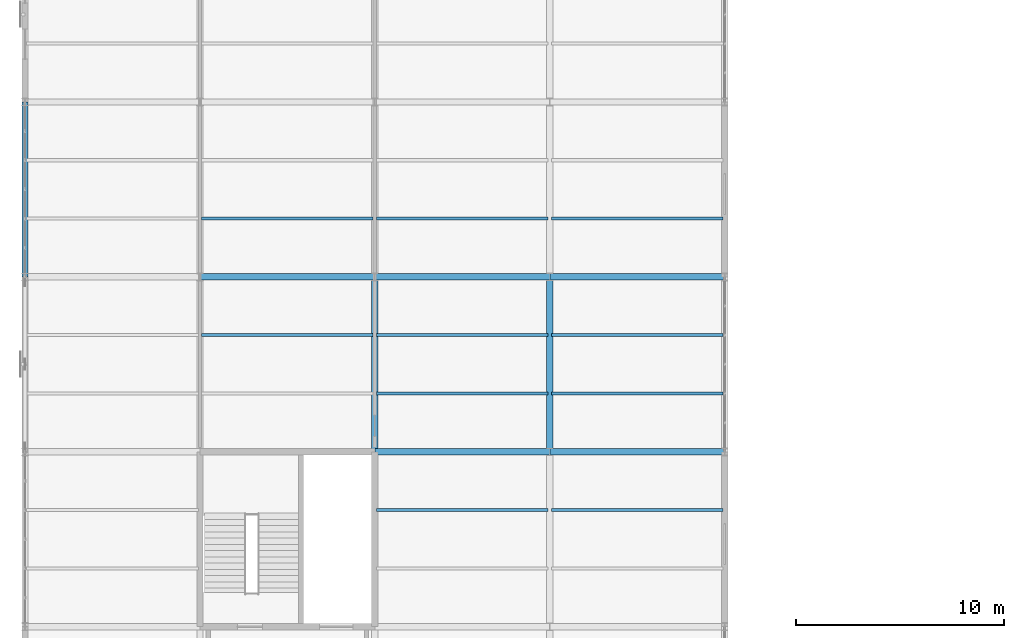
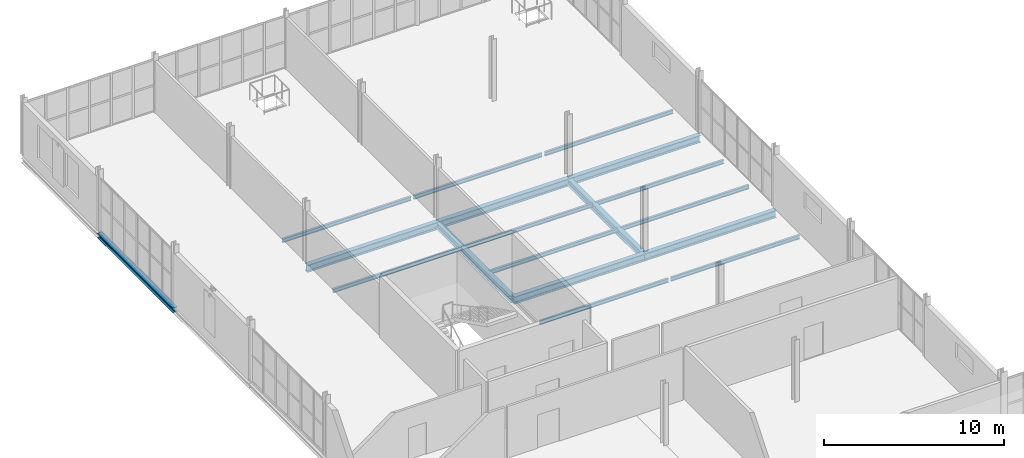
# One storey, part 78 of 163: 18 beams.
"""IFC4 building model written with IfcOpenShell, lengths in metres."""

from ifc_helpers import new_model, si_unit, direction, frame, origin, origin_2d, place, context, subcontext, project, spatial, i_section, extrude, material, material_profile, profile_set, type_object, element, save


model = new_model("IFC4")

# Units and contexts
model_context = context("Model", 3, precision=1e-05, world=origin(), true_north=direction((0.0, 1.0)))
body_context = subcontext(model_context, "Body", "Model", "MODEL_VIEW")
ifc_project = project(units=[si_unit("LENGTHUNIT", "METRE"), si_unit("AREAUNIT", "SQUARE_METRE"), si_unit("VOLUMEUNIT", "CUBIC_METRE"), si_unit("PLANEANGLEUNIT", "RADIAN"), si_unit("MASSUNIT", "GRAM", prefix="KILO")], contexts=[model_context])

# Site, building, storey
site_placement = place(None, origin())
site = spatial("IfcSite", under=ifc_project, at=site_placement, CompositionType="ELEMENT")
building_placement = place(site_placement, origin())
building = spatial("IfcBuilding", under=site, at=building_placement, Name="Qalvenar Corner Mobility Hub", CompositionType="ELEMENT")
storey_placement = place(building_placement, frame((0.0, 0.0, 4.800048828125)))
storey = spatial("IfcBuildingStorey", under=building, at=storey_placement, Name="L01", CompositionType="ELEMENT", Elevation=4.800048828125)

# Beams
ifc_material = material(Name="Steel S355", Category="steel")
ifc_material_profile_1 = material_profile(ifc_material, i_section(OverallWidth=0.300048828125, OverallDepth=0.43994140625, WebThickness=0.011474609375, FlangeThickness=0.02099609375, FilletRadius=0.027099609375, at=origin_2d()), Name="HEA450")
ifc_profile_set_1 = profile_set([ifc_material_profile_1], Name="Steel S355")
beam_type_1 = type_object("IfcBeamType", Name="BM-HEA450", PredefinedType="BEAM", material=ifc_profile_set_1)
for number, where, z_axis, x_axis, name in (
    (1, (16.800048828125, 67.199951171875, -0.400146484375), (0.0, 1.0, 0.0), (-1.0, 0.0, 0.0), "Primary Steel Girder GY-1195"),
    (2, (25.199951171875, 67.199951171875, -0.400146484375), (0.0, 1.0, 0.0), (-1.0, 0.0, 0.0), "Primary Steel Girder GY-1201"),
):
    element("IfcBeam", number, at=place(storey_placement, frame(where, z_axis=z_axis, x_axis=x_axis)), inside=storey, type_object=beam_type_1, Name=name, PredefinedType="BEAM", context=body_context, shape_type="SweptSolid", body=[
        extrude(i_section(OverallWidth=0.300048828125, OverallDepth=0.43994140625, WebThickness=0.011474609375, FlangeThickness=0.02099609375, FilletRadius=0.027099609375, at=origin_2d()), origin(), (0.0, 0.0, 1.0), 8.400146484375),
    ])
ifc_material_profile_2 = material_profile(ifc_material, i_section(OverallWidth=0.300048828125, OverallDepth=0.489990234375, WebThickness=0.011962890625, FlangeThickness=0.02294921875, FilletRadius=0.027099609375, at=origin_2d()), Name="HEA500")
ifc_profile_set_2 = profile_set([ifc_material_profile_2], Name="Steel S355")
beam_type_2 = type_object("IfcBeamType", Name="BM-HEA500", PredefinedType="BEAM", material=ifc_profile_set_2)
beam_1_placement = place(storey_placement, frame((16.800048828125, 67.199951171875, -0.425048828125), z_axis=(1.0, 0.0, 0.0), x_axis=(0.0, 1.0, 0.0)))
element("IfcBeam", 3, at=beam_1_placement, inside=storey, type_object=beam_type_2, Name="Primary Steel Girder GX-1166", PredefinedType="BEAM", context=body_context, shape_type="SweptSolid", body=[
    extrude(i_section(OverallWidth=0.300048828125, OverallDepth=0.489990234375, WebThickness=0.011962890625, FlangeThickness=0.02294921875, FilletRadius=0.027099609375, at=origin_2d()), origin(), (0.0, 0.0, 1.0), 8.39990234375),
])
for number, where, z_axis, x_axis, name in (
    (4, (25.199951171875, 67.199951171875, -0.425048828125), (1.0, 0.0, 0.0), (0.0, 1.0, 0.0), "Primary Steel Girder GX-1167"),
    (5, (8.39990234375, 75.60009765625, -0.425048828125), (1.0, 0.0, 0.0), (0.0, 1.0, 0.0), "Primary Steel Girder GX-1169"),
):
    element("IfcBeam", number, at=place(storey_placement, frame(where, z_axis=z_axis, x_axis=x_axis)), inside=storey, type_object=beam_type_2, Name=name, PredefinedType="BEAM", context=body_context, shape_type="SweptSolid", body=[
        extrude(i_section(OverallWidth=0.300048828125, OverallDepth=0.489990234375, WebThickness=0.011962890625, FlangeThickness=0.02294921875, FilletRadius=0.027099609375, at=origin_2d()), origin(), (0.0, 0.0, 1.0), 8.400146484375),
    ])
beam_2_placement = place(storey_placement, frame((16.800048828125, 75.60009765625, -0.425048828125), z_axis=(1.0, 0.0, 0.0), x_axis=(0.0, 1.0, 0.0)))
element("IfcBeam", 6, at=beam_2_placement, inside=storey, type_object=beam_type_2, Name="Primary Steel Girder GX-1170", PredefinedType="BEAM", context=body_context, shape_type="SweptSolid", body=[
    extrude(i_section(OverallWidth=0.300048828125, OverallDepth=0.489990234375, WebThickness=0.011962890625, FlangeThickness=0.02294921875, FilletRadius=0.027099609375, at=origin_2d()), origin(), (0.0, 0.0, 1.0), 8.39990234375),
])
beam_3_placement = place(storey_placement, frame((25.199951171875, 75.60009765625, -0.425048828125), z_axis=(1.0, 0.0, 0.0), x_axis=(0.0, 1.0, 0.0)))
element("IfcBeam", 7, at=beam_3_placement, inside=storey, type_object=beam_type_2, Name="Primary Steel Girder GX-1171", PredefinedType="BEAM", context=body_context, shape_type="SweptSolid", body=[
    extrude(i_section(OverallWidth=0.300048828125, OverallDepth=0.489990234375, WebThickness=0.011962890625, FlangeThickness=0.02294921875, FilletRadius=0.027099609375, at=origin_2d()), origin(), (0.0, 0.0, 1.0), 8.400146484375),
])
ifc_material_profile_3 = material_profile(ifc_material, i_section(OverallWidth=0.14599609375, OverallDepth=0.258056640625, WebThickness=0.006103515625, FlangeThickness=0.009033203125, FilletRadius=0.011962890625, at=origin_2d()), Name="W250x32.7")
ifc_profile_set_3 = profile_set([ifc_material_profile_3], Name="Steel S355")
beam_type_3 = type_object("IfcBeamType", Name="BM-JST250", PredefinedType="JOIST", material=ifc_profile_set_3)
for number, where, z_axis, x_axis, name in (
    (8, (8.47802734375, 72.800048828125, -0.30908203125), (1.0, 0.0, 0.0), (0.0, 1.0, 0.0), "Composite Floor Joist J-1227"),
    (9, (8.47802734375, 78.39990234375, -0.30908203125), (1.0, 0.0, 0.0), (0.0, 1.0, 0.0), "Composite Floor Joist J-1228"),
):
    element("IfcBeam", number, at=place(storey_placement, frame(where, z_axis=z_axis, x_axis=x_axis)), inside=storey, type_object=beam_type_3, Name=name, PredefinedType="JOIST", context=body_context, shape_type="SweptSolid", body=[
        extrude(i_section(OverallWidth=0.14599609375, OverallDepth=0.258056640625, WebThickness=0.006103515625, FlangeThickness=0.009033203125, FilletRadius=0.011962890625, at=origin_2d()), origin(), (0.0, 0.0, 1.0), 8.243896484375),
    ])
for number, where, z_axis, x_axis, name in (
    (10, (16.8779296875, 64.39990234375, -0.30908203125), (1.0, 0.0, 0.0), (0.0, 1.0, 0.0), "Composite Floor Joist J-1237"),
    (11, (16.8779296875, 70.0, -0.30908203125), (1.0, 0.0, 0.0), (0.0, 1.0, 0.0), "Composite Floor Joist J-1238"),
    (12, (16.8779296875, 72.800048828125, -0.30908203125), (1.0, 0.0, 0.0), (0.0, 1.0, 0.0), "Composite Floor Joist J-1239"),
    (13, (16.8779296875, 78.39990234375, -0.30908203125), (1.0, 0.0, 0.0), (0.0, 1.0, 0.0), "Composite Floor Joist J-1240"),
):
    element("IfcBeam", number, at=place(storey_placement, frame(where, z_axis=z_axis, x_axis=x_axis)), inside=storey, type_object=beam_type_3, Name=name, PredefinedType="JOIST", context=body_context, shape_type="SweptSolid", body=[
        extrude(i_section(OverallWidth=0.14599609375, OverallDepth=0.258056640625, WebThickness=0.006103515625, FlangeThickness=0.009033203125, FilletRadius=0.011962890625, at=origin_2d()), origin(), (0.0, 0.0, 1.0), 8.244140625),
    ])
for number, where, z_axis, x_axis, name in (
    (14, (25.278076171875, 64.39990234375, -0.30908203125), (1.0, 0.0, 0.0), (0.0, 1.0, 0.0), "Composite Floor Joist J-1249"),
    (15, (25.278076171875, 70.0, -0.30908203125), (1.0, 0.0, 0.0), (0.0, 1.0, 0.0), "Composite Floor Joist J-1250"),
    (16, (25.278076171875, 72.800048828125, -0.30908203125), (1.0, 0.0, 0.0), (0.0, 1.0, 0.0), "Composite Floor Joist J-1251"),
    (17, (25.278076171875, 78.39990234375, -0.30908203125), (1.0, 0.0, 0.0), (0.0, 1.0, 0.0), "Composite Floor Joist J-1252"),
):
    element("IfcBeam", number, at=place(storey_placement, frame(where, z_axis=z_axis, x_axis=x_axis)), inside=storey, type_object=beam_type_3, Name=name, PredefinedType="JOIST", context=body_context, shape_type="SweptSolid", body=[
        extrude(i_section(OverallWidth=0.14599609375, OverallDepth=0.258056640625, WebThickness=0.006103515625, FlangeThickness=0.009033203125, FilletRadius=0.011962890625, at=origin_2d()), origin(), (0.0, 0.0, 1.0), 8.243896484375),
    ])
ifc_material_profile_4 = material_profile(ifc_material, i_section(OverallWidth=0.300048828125, OverallDepth=0.31005859375, WebThickness=0.009033203125, FlangeThickness=0.015380859375, FilletRadius=0.027099609375, at=origin_2d()), Name="HEA320")
ifc_profile_set_4 = profile_set([ifc_material_profile_4], Name="Steel S355")
beam_type_4 = type_object("IfcBeamType", Name="BM-SPN320", PredefinedType="SPANDREL", material=ifc_profile_set_4)
beam_4_placement = place(storey_placement, frame((0.0, 75.60009765625, -0.3349609375), z_axis=(0.0, 1.0, 0.0), x_axis=(-1.0, 0.0, 0.0)))
element("IfcBeam", 18, at=beam_4_placement, inside=storey, type_object=beam_type_4, Name="Primary Steel Girder GY-1184", PredefinedType="SPANDREL", context=body_context, shape_type="SweptSolid", body=[
    extrude(i_section(OverallWidth=0.300048828125, OverallDepth=0.31005859375, WebThickness=0.009033203125, FlangeThickness=0.015380859375, FilletRadius=0.027099609375, at=origin_2d()), origin(), (0.0, 0.0, 1.0), 8.39990234375),
])

save(model, "model.ifc")
